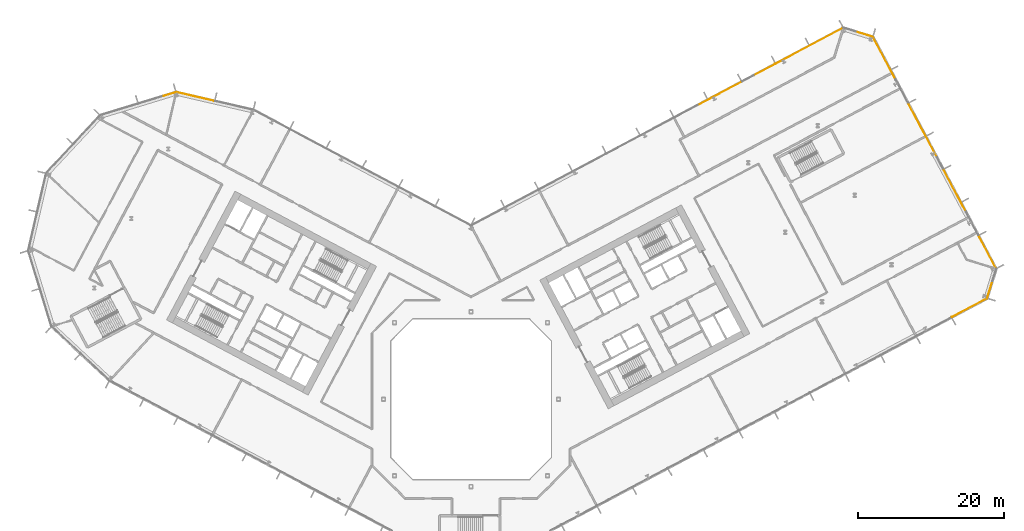
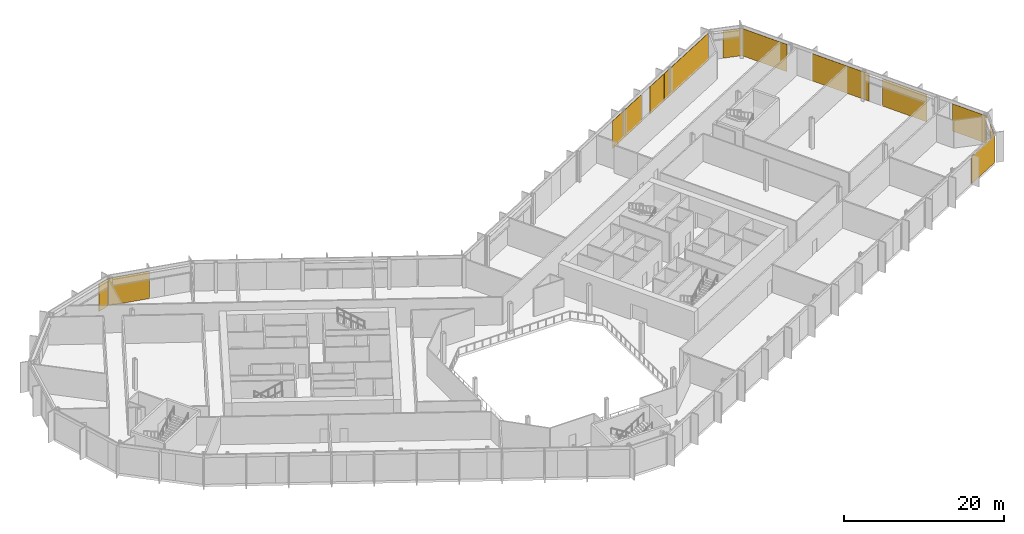
# One storey, part 32 of 32: 12 coverings, 7 elements without a shape of their own.
"""IFC4 building model written with IfcOpenShell, lengths in metres."""

from ifc_helpers import new_model, si_unit, direction, frame, origin, origin_2d, place, context, subcontext, project, spatial, rectangle, extrude, material, layer, layer_set, type_object, element, aggregate, save


model = new_model("IFC4")

# Units and contexts
model_context = context("Model", 3, precision=1e-05, world=origin(), true_north=direction((0.0, 1.0)))
body_context = subcontext(model_context, "Body", "Model", "MODEL_VIEW")
ifc_project = project(units=[si_unit("LENGTHUNIT", "METRE"), si_unit("AREAUNIT", "SQUARE_METRE"), si_unit("VOLUMEUNIT", "CUBIC_METRE"), si_unit("PLANEANGLEUNIT", "RADIAN"), si_unit("MASSUNIT", "GRAM", prefix="KILO")], contexts=[model_context])

# Site, building, storey
site_placement = place(None, origin())
site = spatial("IfcSite", under=ifc_project, at=site_placement, CompositionType="ELEMENT")
building_placement = place(site_placement, origin())
building = spatial("IfcBuilding", under=site, at=building_placement, Name="Cormorant Relay Tower", CompositionType="ELEMENT")
storey_placement = place(building_placement, frame((0.0, 0.0, 75.39990234375)))
storey = spatial("IfcBuildingStorey", under=building, at=storey_placement, Name="L14", CompositionType="ELEMENT", Elevation=75.39990234375)

# Curtain wall, covering
ifc_material_1 = material(Name="Aluminium 6063-T6 anodised bronze", Category="aluminium")
ifc_layer_1 = layer(ifc_material_1, 0.199951171875)
ifc_layer_set_1 = layer_set([ifc_layer_1], Name="CW1 unitised bronze curtain wall with vertical fins")
curtain_wall_type = type_object("IfcCurtainWallType", Name="CW1 unitised bronze curtain wall with vertical fins", PredefinedType="NOTDEFINED", material=ifc_layer_set_1)
curtain_wall_1_placement = place(storey_placement, origin())
curtain_wall_1 = element("IfcCurtainWall", 1, at=curtain_wall_1_placement, inside=storey, type_object=curtain_wall_type, Name="CW1 curtain wall 2", PredefinedType="NOTDEFINED")
ifc_material_2 = material(Name="Pale bronze anodised aluminium insulated panel", Category="aluminium")
ifc_layer_2 = layer(ifc_material_2, 0.0400390625)
ifc_layer_set_2 = layer_set([ifc_layer_2], Name="CW1 pale bronze insulated panel 40")
covering_type = type_object("IfcCoveringType", Name="CW1 pale bronze insulated panel 40", PredefinedType="CLADDING", material=ifc_layer_set_2)
covering_1_placement = place(storey_placement, frame((68.391357421875, 12.557861328125, 0.000244140625), z_axis=(0.0, 0.0, 1.0), x_axis=(0.882947592859, 0.469471562786, 0.0)))
covering_1 = element("IfcCovering", 2, at=covering_1_placement, type_object=covering_type, Name="CW1 panel S14", PredefinedType="CLADDING", context=body_context, shape_type="SweptSolid", body=[
    extrude(rectangle(XDim=5.436767578125, YDim=0.0400390625, at=origin_2d()), origin(), (0.0, 0.0, 1.0), 4.14990234375),
])
aggregate(curtain_wall_1, [covering_1])

curtain_wall_2_placement = place(storey_placement, origin())
curtain_wall_2 = element("IfcCurtainWall", 3, at=curtain_wall_2_placement, inside=storey, type_object=curtain_wall_type, Name="CW1 curtain wall 3", PredefinedType="NOTDEFINED")
covering_2_placement = place(storey_placement, frame((71.16943359375, 15.049560546875, 0.000244140625), z_axis=(0.0, 0.0, 1.0), x_axis=(0.292371704723, 0.956304755963, 0.0)))
covering_2 = element("IfcCovering", 4, at=covering_2_placement, type_object=covering_type, Name="CW1 panel S00", PredefinedType="CLADDING", context=body_context, shape_type="SweptSolid", body=[
    extrude(rectangle(XDim=2.36767578125, YDim=0.0400390625, at=origin_2d()), origin(), (0.0, 0.0, 1.0), 4.14990234375),
])
aggregate(curtain_wall_2, [covering_2])

# Curtain wall, coverings
curtain_wall_3_placement = place(storey_placement, origin())
curtain_wall_3 = element("IfcCurtainWall", 5, at=curtain_wall_3_placement, inside=storey, type_object=curtain_wall_type, Name="CW1 curtain wall 4", PredefinedType="NOTDEFINED")
covering_3_placement = place(storey_placement, frame((70.833251953125, 20.188720703125, 0.000244140625), z_axis=(0.0, 0.0, 1.0), x_axis=(-0.469471562786, 0.882947592859, 0.0)))
covering_3 = element("IfcCovering", 6, at=covering_3_placement, type_object=covering_type, Name="CW1 panel S00", PredefinedType="CLADDING", context=body_context, shape_type="SweptSolid", body=[
    extrude(rectangle(XDim=4.992919921875, YDim=0.0400390625, at=origin_2d()), origin(), (0.0, 0.0, 1.0), 4.14990234375),
])
covering_4_placement = place(storey_placement, frame((66.366455078125, 28.58935546875, 0.000244140625), z_axis=(0.0, 0.0, 1.0), x_axis=(-0.469471562786, 0.882947592859, 0.0)))
covering_4 = element("IfcCovering", 7, at=covering_4_placement, type_object=covering_type, Name="CW1 panel S02", PredefinedType="CLADDING", context=body_context, shape_type="SweptSolid", body=[
    extrude(rectangle(XDim=6.53564453125, YDim=0.0400390625, at=origin_2d()), origin(), (0.0, 0.0, 1.0), 4.14990234375),
])
covering_5_placement = place(storey_placement, frame((61.960205078125, 36.87646484375, 0.000244140625), z_axis=(0.0, 0.0, 1.0), x_axis=(-0.469471562786, 0.882947592859, 0.0)))
covering_5 = element("IfcCovering", 8, at=covering_5_placement, type_object=covering_type, Name="CW1 panel S04", PredefinedType="CLADDING", context=body_context, shape_type="SweptSolid", body=[
    extrude(rectangle(XDim=8.335693359375, YDim=0.0400390625, at=origin_2d()), origin(), (0.0, 0.0, 1.0), 4.14990234375),
])
covering_6_placement = place(storey_placement, frame((56.691162109375, 46.785888671875, 0.000244140625), z_axis=(0.0, 0.0, 1.0), x_axis=(-0.469471562786, 0.882947592859, 0.0)))
covering_6 = element("IfcCovering", 9, at=covering_6_placement, type_object=covering_type, Name="CW1 panel S06", PredefinedType="CLADDING", context=body_context, shape_type="SweptSolid", body=[
    extrude(rectangle(XDim=6.610595703125, YDim=0.0400390625, at=origin_2d()), origin(), (0.0, 0.0, 1.0), 4.14990234375),
])
aggregate(curtain_wall_3, [covering_3, covering_4, covering_5, covering_6])

# Curtain wall, covering
curtain_wall_4_placement = place(storey_placement, origin())
curtain_wall_4 = element("IfcCurtainWall", 10, at=curtain_wall_4_placement, inside=storey, type_object=curtain_wall_type, Name="CW1 curtain wall 5", PredefinedType="NOTDEFINED")
covering_7_placement = place(storey_placement, frame((53.923828125, 50.082275390625, 0.000244140625), z_axis=(0.0, 0.0, 1.0), x_axis=(-0.956304755963, 0.292371704723, 0.0)))
covering_7 = element("IfcCovering", 11, at=covering_7_placement, type_object=covering_type, Name="CW1 panel S00", PredefinedType="CLADDING", context=body_context, shape_type="SweptSolid", body=[
    extrude(rectangle(XDim=2.36767578125, YDim=0.0400390625, at=origin_2d()), origin(), (0.0, 0.0, 1.0), 4.14990234375),
])
aggregate(curtain_wall_4, [covering_7])

# Curtain wall, coverings
curtain_wall_5_placement = place(storey_placement, origin())
curtain_wall_5 = element("IfcCurtainWall", 12, at=curtain_wall_5_placement, inside=storey, type_object=curtain_wall_type, Name="CW1 curtain wall 6", PredefinedType="NOTDEFINED")
covering_8_placement = place(storey_placement, frame((46.412841796875, 48.48486328125, 0.000244140625), z_axis=(0.0, 0.0, 1.0), x_axis=(-0.882947592859, -0.469471562786, 0.0)))
covering_8 = element("IfcCovering", 13, at=covering_8_placement, type_object=covering_type, Name="CW1 panel S00", PredefinedType="CLADDING", context=body_context, shape_type="SweptSolid", body=[
    extrude(rectangle(XDim=10.365234375, YDim=0.0400390625, at=origin_2d()), origin(), (0.0, 0.0, 1.0), 4.14990234375),
])
covering_9_placement = place(storey_placement, frame((40.244140625, 45.204833984375, 0.000244140625), z_axis=(0.0, 0.0, 1.0), x_axis=(-0.882947592859, -0.469471562786, 0.0)))
covering_9 = element("IfcCovering", 14, at=covering_9_placement, type_object=covering_type, Name="CW1 panel S01", PredefinedType="CLADDING", context=body_context, shape_type="SweptSolid", body=[
    extrude(rectangle(XDim=3.3076171875, YDim=0.0400390625, at=origin_2d()), origin(), (0.0, 0.0, 1.0), 4.14990234375),
])
covering_10_placement = place(storey_placement, frame((34.075439453125, 41.9248046875, 0.000244140625), z_axis=(0.0, 0.0, 1.0), x_axis=(-0.882947592859, -0.469471562786, 0.0)))
covering_10 = element("IfcCovering", 15, at=covering_10_placement, type_object=covering_type, Name="CW1 panel S03", PredefinedType="CLADDING", context=body_context, shape_type="SweptSolid", body=[
    extrude(rectangle(XDim=6.765380859375, YDim=0.0400390625, at=origin_2d()), origin(), (0.0, 0.0, 1.0), 4.14990234375),
])
aggregate(curtain_wall_5, [covering_8, covering_9, covering_10])

# Curtain wall, covering
curtain_wall_6_placement = place(storey_placement, origin())
curtain_wall_6 = element("IfcCurtainWall", 16, at=curtain_wall_6_placement, inside=storey, type_object=curtain_wall_type, Name="CW1 curtain wall 8", PredefinedType="NOTDEFINED")
covering_11_placement = place(storey_placement, frame((-37.849609375, 41.530029296875, 0.000244140625), z_axis=(0.0, 0.0, 1.0), x_axis=(-0.974370064785, 0.224951054344, 0.0)))
covering_11 = element("IfcCovering", 17, at=covering_11_placement, type_object=covering_type, Name="CW1 panel S02", PredefinedType="CLADDING", context=body_context, shape_type="SweptSolid", body=[
    extrude(rectangle(XDim=5.360107421875, YDim=0.0400390625, at=origin_2d()), origin(), (0.0, 0.0, 1.0), 4.14990234375),
])
aggregate(curtain_wall_6, [covering_11])

curtain_wall_7_placement = place(storey_placement, origin())
curtain_wall_7 = element("IfcCurtainWall", 18, at=curtain_wall_7_placement, inside=storey, type_object=curtain_wall_type, Name="CW1 curtain wall 9", PredefinedType="NOTDEFINED")
covering_12_placement = place(storey_placement, frame((-41.348876953125, 41.8642578125, 0.000244140625), z_axis=(0.0, 0.0, 1.0), x_axis=(-0.956304755963, -0.292371704723, 0.0)))
covering_12 = element("IfcCovering", 19, at=covering_12_placement, type_object=covering_type, Name="CW1 panel S00", PredefinedType="CLADDING", context=body_context, shape_type="SweptSolid", body=[
    extrude(rectangle(XDim=1.685302734375, YDim=0.0400390625, at=origin_2d()), origin(), (0.0, 0.0, 1.0), 4.14990234375),
])
aggregate(curtain_wall_7, [covering_12])

save(model, "model.ifc")
